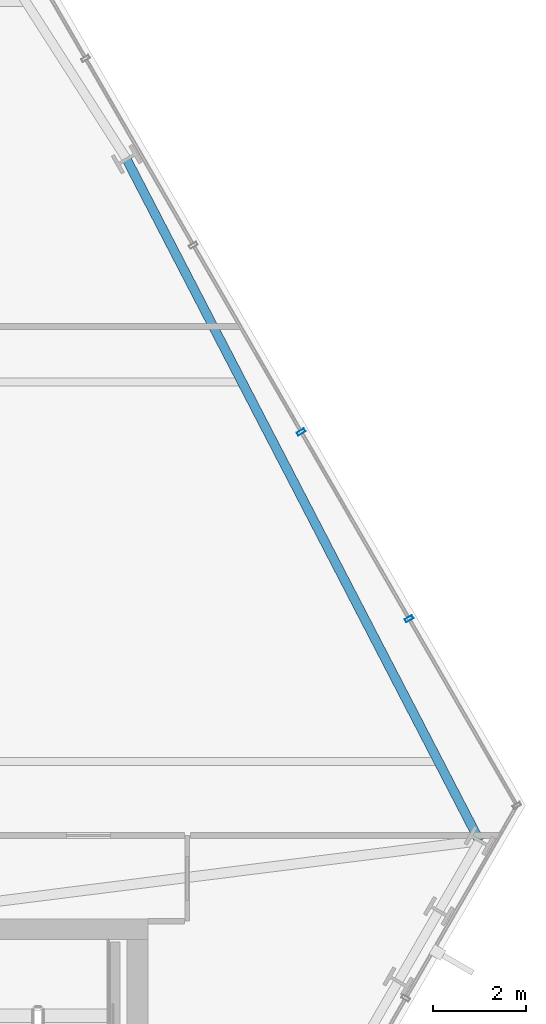
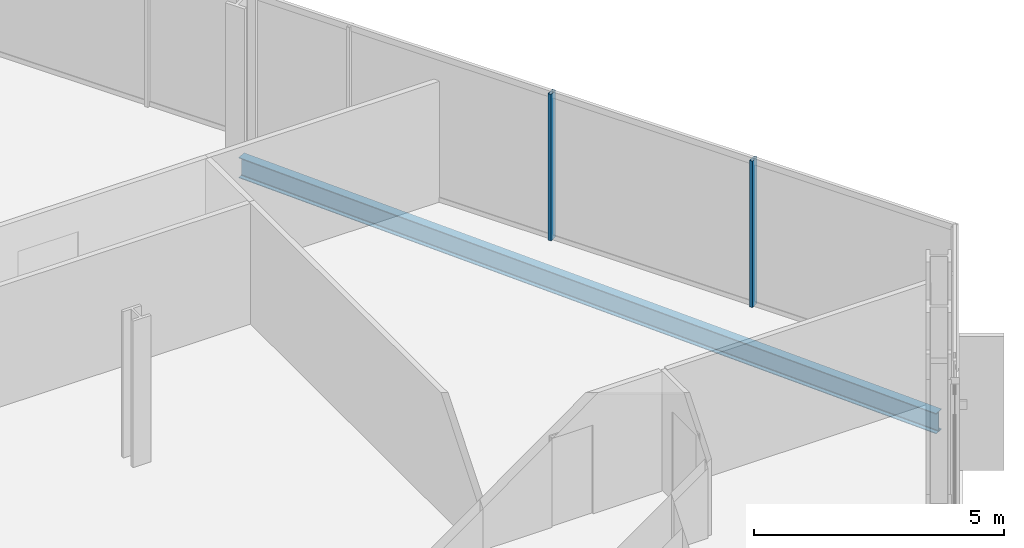
# One storey, part 19 of 33: 2 members, 1 beam, 1 element without a shape of its own.
"""IFC4 building model written with IfcOpenShell, lengths in metres."""

from ifc_helpers import new_model, si_unit, direction, frame, origin, origin_2d, place, context, subcontext, project, spatial, hollow_rectangle, i_section, extrude, material, layer, layer_set, material_profile, profile_set, type_object, element, aggregate, save


model = new_model("IFC4")

# Units and contexts
model_context = context("Model", 3, precision=1e-05, world=origin(), true_north=direction((0.0, 1.0)))
body_context = subcontext(model_context, "Body", "Model", "MODEL_VIEW")
ifc_project = project(units=[si_unit("LENGTHUNIT", "METRE"), si_unit("AREAUNIT", "SQUARE_METRE"), si_unit("VOLUMEUNIT", "CUBIC_METRE"), si_unit("PLANEANGLEUNIT", "RADIAN"), si_unit("MASSUNIT", "GRAM", prefix="KILO")], contexts=[model_context])

# Site, building, storey
site_placement = place(None, origin())
site = spatial("IfcSite", under=ifc_project, at=site_placement, CompositionType="ELEMENT")
building_placement = place(site_placement, origin())
building = spatial("IfcBuilding", under=site, at=building_placement, Name="Ndaravel Arena Tower", CompositionType="ELEMENT")
storey_placement = place(building_placement, frame((0.0, 0.0, 85.39990234375)))
storey = spatial("IfcBuildingStorey", under=building, at=storey_placement, Name="L19", CompositionType="ELEMENT", Elevation=85.39990234375)

# Beam
ifc_material_1 = material(Name="Steel S355", Category="steel")
ifc_material_profile_1 = material_profile(ifc_material_1, i_section(OverallWidth=0.199951171875, OverallDepth=0.5, WebThickness=0.01025390625, FlangeThickness=0.01611328125, FilletRadius=0.02099609375, at=origin_2d()), Name="IPE 500")
ifc_profile_set_1 = profile_set([ifc_material_profile_1], Name="Steel S355")
beam_type = type_object("IfcBeamType", Name="BM-SPAN-IPE500", PredefinedType="SPANDREL", material=ifc_profile_set_1)
beam_placement = place(storey_placement, frame((64.710205078125, 16.887451171875, -0.469970703125), z_axis=(-0.459755761058, 0.888045404342, 0.0), x_axis=(-0.888045404342, -0.459755761058, 0.0)))
element("IfcBeam", 1, at=beam_placement, inside=storey, type_object=beam_type, Name="L19 Perimeter Spandrel Beam SP-09", PredefinedType="SPANDREL", context=body_context, shape_type="SweptSolid", body=[
    extrude(i_section(OverallWidth=0.199951171875, OverallDepth=0.5, WebThickness=0.01025390625, FlangeThickness=0.01611328125, FilletRadius=0.02099609375, at=origin_2d()), origin(), (0.0, 0.0, 1.0), 16.58056640625),
])

# Curtain wall, members
ifc_material_2 = material(Name="Aluminium", Category="aluminium")
ifc_layer = layer(ifc_material_2, 0.179931640625)
ifc_layer_set = layer_set([ifc_layer], Name="Aluminium")
curtain_wall_type = type_object("IfcCurtainWallType", Name="CW-SYS-03", PredefinedType="NOTDEFINED", material=ifc_layer_set)
curtain_wall_placement = place(storey_placement, origin())
curtain_wall = element("IfcCurtainWall", 2, at=curtain_wall_placement, inside=storey, type_object=curtain_wall_type, Name="L19 Faceted Crystal Curtain Wall CW-L19-E03", PredefinedType="NOTDEFINED")
ifc_material_3 = material(Name="Aluminium", Category="aluminium")
ifc_material_profile_2 = material_profile(ifc_material_3, hollow_rectangle(XDim=0.074951171875, YDim=0.179931640625, WallThickness=0.00390625, at=origin_2d()), Name="CW MULLION 75x180x4")
ifc_profile_set_2 = profile_set([ifc_material_profile_2], Name="Aluminium")
member_type = type_object("IfcMemberType", Name="MEM-CW-MUL180", PredefinedType="MULLION", material=ifc_profile_set_2)
member_1_placement = place(storey_placement, frame((63.18896484375, 21.683349609375, 0.0), z_axis=(0.0, 0.0, 1.0), x_axis=(-0.5, 0.866025403784, 0.0)))
member_1 = element("IfcMember", 3, at=member_1_placement, type_object=member_type, Name="CW-L19-E03 Mullion 01", PredefinedType="MULLION", context=body_context, shape_type="SweptSolid", body=[
    extrude(hollow_rectangle(XDim=0.074951171875, YDim=0.179931640625, WallThickness=0.00390625, at=origin_2d()), origin(), (0.0, 0.0, 1.0), 3.580078125),
])
member_2_placement = place(storey_placement, frame((60.859130859375, 25.71875, 0.0), z_axis=(0.0, 0.0, 1.0), x_axis=(-0.5, 0.866025403784, 0.0)))
member_2 = element("IfcMember", 4, at=member_2_placement, type_object=member_type, Name="CW-L19-E03 Mullion 02", PredefinedType="MULLION", context=body_context, shape_type="SweptSolid", body=[
    extrude(hollow_rectangle(XDim=0.074951171875, YDim=0.179931640625, WallThickness=0.00390625, at=origin_2d()), origin(), (0.0, 0.0, 1.0), 3.580078125),
])
aggregate(curtain_wall, [member_1, member_2])

save(model, "model.ifc")
